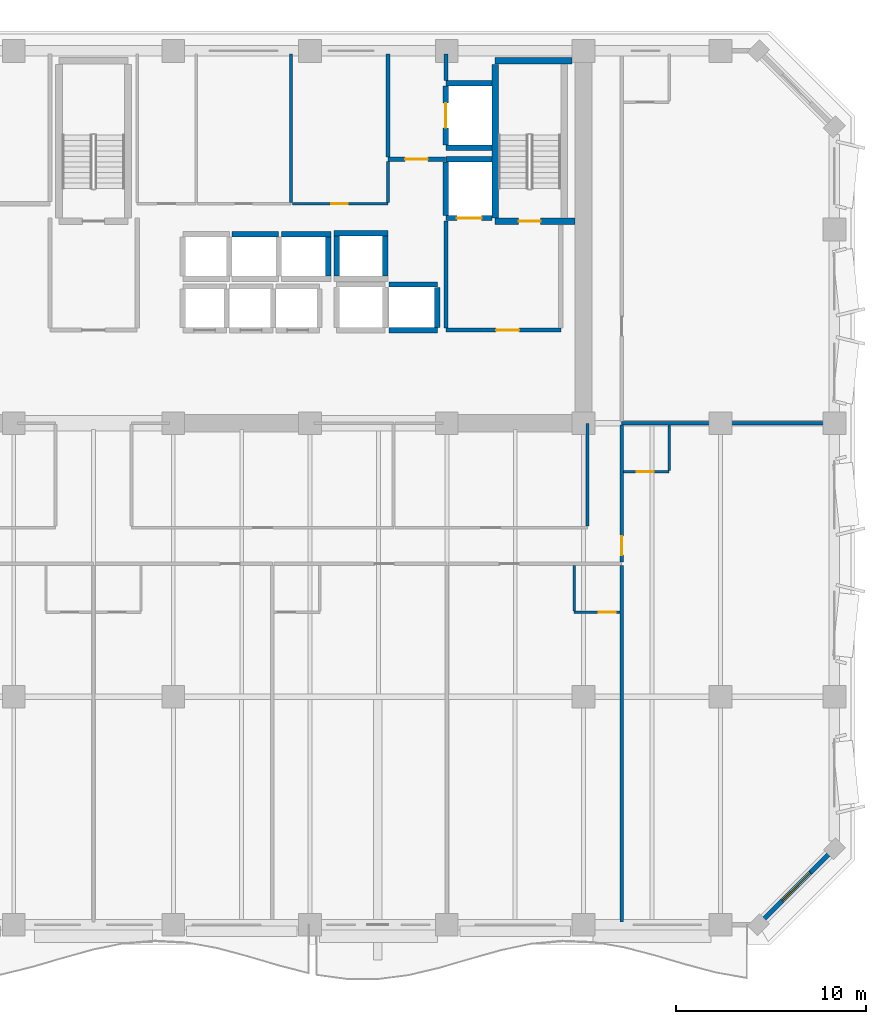
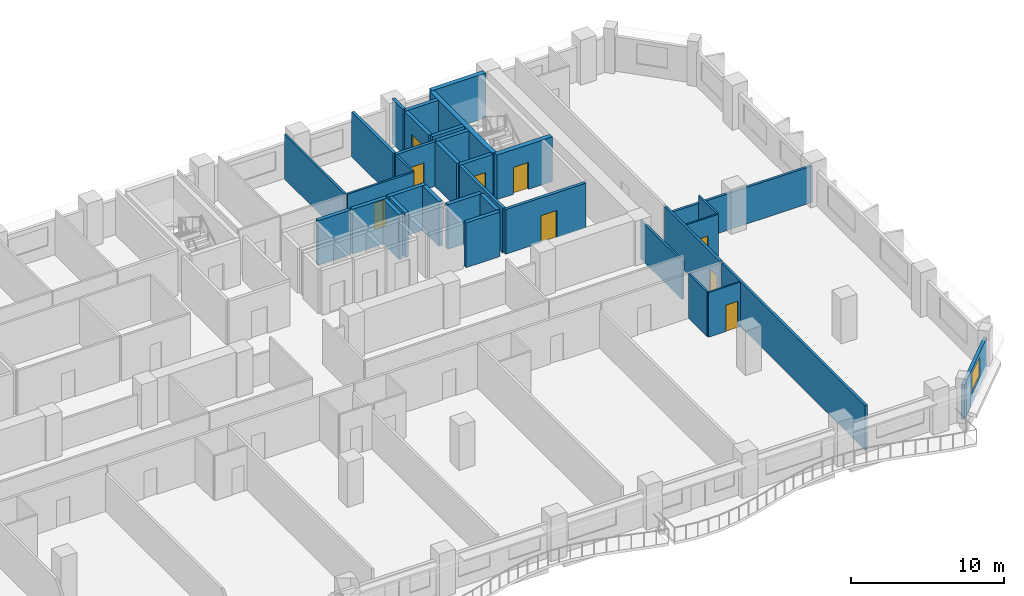
# One storey, part 8 of 14: 35 walls, 9 doors, 1 window, 10 openings.
"""IFC4 building model written with IfcOpenShell, lengths in metres."""

from ifc_helpers import new_model, si_unit, direction, frame, frame_2d, origin, place, context, subcontext, project, spatial, rectangle, extrude, material, layer, layer_set, type_object, element, fill, save


model = new_model("IFC4")

# Units and contexts
model_context = context("Model", 3, precision=1e-05, world=origin(), true_north=direction((0.0, 1.0)))
body_context = subcontext(model_context, "Body", "Model", "MODEL_VIEW")
ifc_project = project(units=[si_unit("LENGTHUNIT", "METRE"), si_unit("AREAUNIT", "SQUARE_METRE"), si_unit("VOLUMEUNIT", "CUBIC_METRE"), si_unit("PLANEANGLEUNIT", "RADIAN"), si_unit("MASSUNIT", "GRAM", prefix="KILO")], contexts=[model_context])

# Site, building, storey
site_placement = place(None, origin())
site = spatial("IfcSite", under=ifc_project, at=site_placement, CompositionType="ELEMENT")
building_placement = place(site_placement, origin())
building = spatial("IfcBuilding", under=site, at=building_placement, Name="Kaelvorn Grand Hotel", CompositionType="ELEMENT")
storey_placement = place(building_placement, frame((0.0, 0.0, 190.14990234375)))
storey = spatial("IfcBuildingStorey", under=building, at=storey_placement, Name="L46", CompositionType="ELEMENT", Elevation=190.14990234375)

# Wall, opening, window
ifc_material_1 = material(Name="Concrete C40/50", Category="concrete")
ifc_layer_1 = layer(ifc_material_1, 0.239990234375)
ifc_layer_set_1 = layer_set([ifc_layer_1], Name="Concrete C40/50")
wall_type_1 = type_object("IfcWallType", Name="WL-EXT-240-C40", PredefinedType="SOLIDWALL", material=ifc_layer_set_1)
wall_1_placement = place(storey_placement, frame((77.0, 3.0, 0.0), z_axis=(0.0, 0.0, 1.0), x_axis=(0.707106781187, 0.707106781187, 0.0)))
wall_1 = element("IfcWall", 1, at=wall_1_placement, inside=storey, type_object=wall_type_1, Name="L46 Exterior Architectural Concrete Wall 02", PredefinedType="SOLIDWALL", context=body_context, shape_type="SweptSolid", body=[
    extrude(rectangle(XDim=5.65673828125, YDim=0.239990234375, at=frame_2d((2.828369140625, 0.0))), origin(), (0.0, 0.0, 1.0), 2.760009765625),
])
opening_1_placement = place(wall_1_placement, frame((1.7783203125, 0.0, 0.85009765625)))
opening_1 = element("IfcOpeningElement", 2, at=opening_1_placement, cuts=wall_1, Name="Opening W7", PredefinedType="OPENING", context=body_context, shape_type="SweptSolid", body=[
    extrude(rectangle(XDim=2.10009765625, YDim=1.60009765625, at=frame_2d((1.050048828125, 0.800048828125))), frame((0.0, 0.1298828125, 0.0), z_axis=(0.0, -1.0, 0.0), x_axis=(1.0, 0.0, 0.0)), (0.0, 0.0, 1.0), 0.260009765625),
])
ifc_material_2 = material(Name="Laminated Low-E Glass", Category="glass")
window_type = type_object("IfcWindowType", Name="WIN-CHM-2100x1600", PartitioningType="SINGLE_PANEL", PredefinedType="WINDOW", material=ifc_material_2)
window_placement = place(opening_1_placement, origin())
window = element("IfcWindow", 3, at=window_placement, inside=storey, type_object=window_type, Name="L46 Chamfered 45-Degree Corner Window SE", OverallHeight=1.60009765625, OverallWidth=2.10009765625, PartitioningType="SINGLE_PANEL", PredefinedType="WINDOW", context=body_context, shape_type="SweptSolid", body=[
    extrude(rectangle(XDim=2.10009765625, YDim=1.60009765625, at=frame_2d((1.050048828125, 0.800048828125))), frame((0.0, 0.030029296875, 0.0), z_axis=(0.0, -1.0, 0.0), x_axis=(1.0, 0.0, 0.0)), (0.0, 0.0, 1.0), 0.06005859375),
])
fill(opening_1, window)

# Wall, opening, door
ifc_material_3 = material(Name="Moisture-Resistant Tile & Stud Board")
ifc_layer_2 = layer(ifc_material_3, 0.125)
ifc_layer_set_2 = layer_set([ifc_layer_2], Name="Moisture-Resistant Tile & Stud Board")
wall_type_2 = type_object("IfcWallType", Name="WL-PART-125-WET", PredefinedType="PARTITIONING", material=ifc_layer_set_2)
wall_2_placement = place(storey_placement, frame((67.300048828125, 19.449951171875, 0.0), z_axis=(0.0, 0.0, 1.0), x_axis=(1.0, 0.0, 0.0)))
wall_2 = element("IfcWall", 4, at=wall_2_placement, inside=storey, type_object=wall_type_2, Name="L46 En-suite Bathroom L46-06 S Partition", PredefinedType="PARTITIONING", context=body_context, shape_type="SweptSolid", body=[
    extrude(rectangle(XDim=2.405029296875, YDim=0.125, at=frame_2d((1.20263671875, 0.0))), origin(), (0.0, 0.0, 1.0), 3.56005859375),
])
opening_2_placement = place(wall_2_placement, frame((1.300048828125, 0.0, 0.0)))
opening_2 = element("IfcOpeningElement", 5, at=opening_2_placement, cuts=wall_2, Name="Opening DI4", PredefinedType="OPENING", context=body_context, shape_type="SweptSolid", body=[
    extrude(rectangle(XDim=0.89990234375, YDim=2.10009765625, at=frame_2d((0.449951171875, 1.050048828125))), frame((0.0, 0.072509765625, 0.0), z_axis=(0.0, -1.0, 0.0), x_axis=(1.0, 0.0, 0.0)), (0.0, 0.0, 1.0), 0.14501953125),
])
ifc_material_4 = material(Name="Timber Veneer Leaf", Category="wood")
door_type_1 = type_object("IfcDoorType", Name="DR-INT-BATH-900x2100", OperationType="NOTDEFINED", PredefinedType="DOOR", material=ifc_material_4)
door_1_placement = place(opening_2_placement, origin())
door_1 = element("IfcDoor", 6, at=door_1_placement, inside=storey, type_object=door_type_1, Name="L46 En-suite Bathroom L46-06 Door", OperationType="SINGLE_SWING_RIGHT", OverallHeight=2.10009765625, OverallWidth=0.89990234375, PredefinedType="DOOR", context=body_context, shape_type="SweptSolid", body=[
    extrude(rectangle(XDim=0.89990234375, YDim=2.10009765625, at=frame_2d((0.449951171875, 1.050048828125))), frame((0.0, 0.02490234375, 0.0), z_axis=(0.0, -1.0, 0.0), x_axis=(1.0, 0.0, 0.0)), (0.0, 0.0, 1.0), 0.050048828125),
])
fill(opening_2, door_1)

# Wall
wall_3_placement = place(storey_placement, frame((67.300048828125, 19.517578125, 0.0), z_axis=(0.0, 0.0, 1.0), x_axis=(0.0, 1.0, 0.0)))
element("IfcWall", 7, at=wall_3_placement, inside=storey, type_object=wall_type_2, Name="L46 En-suite Bathroom L46-06 W Partition", PredefinedType="PARTITIONING", context=body_context, shape_type="SweptSolid", body=[
    extrude(rectangle(XDim=2.387451171875, YDim=0.125, at=frame_2d((1.19384765625, 0.0))), origin(), (0.0, 0.0, 1.0), 3.56005859375),
])

# Wall, opening, door
wall_4_placement = place(storey_placement, frame((69.89501953125, 26.85009765625, 0.0), z_axis=(0.0, 0.0, 1.0), x_axis=(1.0, 0.0, 0.0)))
wall_4 = element("IfcWall", 8, at=wall_4_placement, inside=storey, type_object=wall_type_2, Name="L46 En-suite Bathroom L46-08 S Partition", PredefinedType="PARTITIONING", context=body_context, shape_type="SweptSolid", body=[
    extrude(rectangle(XDim=2.405029296875, YDim=0.125, at=frame_2d((1.20263671875, 0.0))), origin(), (0.0, 0.0, 1.0), 3.56005859375),
])
opening_3_placement = place(wall_4_placement, frame((0.705078125, 0.0, 0.0)))
opening_3 = element("IfcOpeningElement", 9, at=opening_3_placement, cuts=wall_4, Name="Opening DI4", PredefinedType="OPENING", context=body_context, shape_type="SweptSolid", body=[
    extrude(rectangle(XDim=0.89990234375, YDim=2.10009765625, at=frame_2d((0.449951171875, 1.050048828125))), frame((0.0, 0.072509765625, 0.0), z_axis=(0.0, -1.0, 0.0), x_axis=(1.0, 0.0, 0.0)), (0.0, 0.0, 1.0), 0.14501953125),
])
door_2_placement = place(opening_3_placement, origin())
door_2 = element("IfcDoor", 10, at=door_2_placement, inside=storey, type_object=door_type_1, Name="L46 En-suite Bathroom L46-08 Door", OperationType="SINGLE_SWING_RIGHT", OverallHeight=2.10009765625, OverallWidth=0.89990234375, PredefinedType="DOOR", context=body_context, shape_type="SweptSolid", body=[
    extrude(rectangle(XDim=0.89990234375, YDim=2.10009765625, at=frame_2d((0.449951171875, 1.050048828125))), frame((0.0, 0.02490234375, 0.0), z_axis=(0.0, -1.0, 0.0), x_axis=(1.0, 0.0, 0.0)), (0.0, 0.0, 1.0), 0.050048828125),
])
fill(opening_3, door_2)

# Walls
wall_5_placement = place(storey_placement, frame((72.300048828125, 26.91748046875, 0.0), z_axis=(0.0, 0.0, 1.0), x_axis=(0.0, 1.0, 0.0)))
element("IfcWall", 11, at=wall_5_placement, inside=storey, type_object=wall_type_2, Name="L46 En-suite Bathroom L46-08 E Partition", PredefinedType="PARTITIONING", context=body_context, shape_type="SweptSolid", body=[
    extrude(rectangle(XDim=2.387451171875, YDim=0.125, at=frame_2d((1.19384765625, 0.0))), origin(), (0.0, 0.0, 1.0), 3.56005859375),
])
ifc_material_5 = material(Name="Acoustic Gypsum & Stud Partition")
ifc_layer_3 = layer(ifc_material_5, 0.14990234375)
ifc_layer_set_3 = layer_set([ifc_layer_3], Name="Acoustic Gypsum & Stud Partition")
wall_type_3 = type_object("IfcWallType", Name="WL-PART-150-EI60", PredefinedType="PARTITIONING", material=ifc_layer_set_3)
wall_6_placement = place(storey_placement, frame((52.39990234375, 41.030029296875, 0.0), z_axis=(0.0, 0.0, 1.0), x_axis=(0.0, 1.0, 0.0)))
element("IfcWall", 12, at=wall_6_placement, inside=storey, type_object=wall_type_3, Name="L46 Valet & Luggage Store E Partition", PredefinedType="PARTITIONING", context=body_context, shape_type="SweptSolid", body=[
    extrude(rectangle(XDim=7.820068359375, YDim=0.14990234375, at=frame_2d((3.91015625, 0.0))), origin(), (0.0, 0.0, 1.0), 3.56005859375),
])

# Wall, opening, door
wall_7_placement = place(storey_placement, frame((52.47998046875, 40.949951171875, 0.0), z_axis=(0.0, 0.0, 1.0), x_axis=(1.0, 0.0, 0.0)))
wall_7 = element("IfcWall", 13, at=wall_7_placement, inside=storey, type_object=wall_type_3, Name="L46 Clean Utility & Amenity Store S Partition", PredefinedType="PARTITIONING", context=body_context, shape_type="SweptSolid", body=[
    extrude(rectangle(XDim=5.02001953125, YDim=0.14990234375, at=frame_2d((2.510009765625, 0.0))), origin(), (0.0, 0.0, 1.0), 3.56005859375),
])
opening_4_placement = place(wall_7_placement, frame((2.044921875, 0.0, 0.0)))
opening_4 = element("IfcOpeningElement", 14, at=opening_4_placement, cuts=wall_7, Name="Opening DI7", PredefinedType="OPENING", context=body_context, shape_type="SweptSolid", body=[
    extrude(rectangle(XDim=0.85009765625, YDim=2.10009765625, at=frame_2d((0.425048828125, 1.050048828125))), frame((0.0, 0.0849609375, 0.0), z_axis=(0.0, -1.0, 0.0), x_axis=(1.0, 0.0, 0.0)), (0.0, 0.0, 1.0), 0.169921875),
])
ifc_material_6 = material(Name="Powder-Coated Steel Leaf", Category="steel")
door_type_2 = type_object("IfcDoorType", Name="DR-INT-RISER-850x2100", OperationType="NOTDEFINED", PredefinedType="DOOR", material=ifc_material_6)
door_3_placement = place(opening_4_placement, origin())
door_3 = element("IfcDoor", 15, at=door_3_placement, inside=storey, type_object=door_type_2, Name="L46 Clean Utility & Amenity Store Door", OperationType="SINGLE_SWING_RIGHT", OverallHeight=2.10009765625, OverallWidth=0.85009765625, PredefinedType="DOOR", context=body_context, shape_type="SweptSolid", body=[
    extrude(rectangle(XDim=0.85009765625, YDim=2.10009765625, at=frame_2d((0.425048828125, 1.050048828125))), frame((0.0, 0.02490234375, 0.0), z_axis=(0.0, -1.0, 0.0), x_axis=(1.0, 0.0, 0.0)), (0.0, 0.0, 1.0), 0.050048828125),
])
fill(opening_4, door_3)

# Walls
wall_8_placement = place(storey_placement, frame((57.5, 41.030029296875, 0.0), z_axis=(0.0, 0.0, 1.0), x_axis=(0.0, 1.0, 0.0)))
element("IfcWall", 16, at=wall_8_placement, inside=storey, type_object=wall_type_3, Name="L46 Clean Utility & Amenity Store E Partition", PredefinedType="PARTITIONING", context=body_context, shape_type="SweptSolid", body=[
    extrude(rectangle(XDim=2.155029296875, YDim=0.14990234375, at=frame_2d((1.07763671875, 0.0))), origin(), (0.0, 0.0, 1.0), 3.56005859375),
])
wall_9_placement = place(storey_placement, frame((68.0, 23.97998046875, 0.0), z_axis=(0.0, 0.0, 1.0), x_axis=(0.0, 1.0, 0.0)))
element("IfcWall", 17, at=wall_9_placement, inside=storey, type_object=wall_type_3, Name="L46 VIP Dining Restaurant E Partition", PredefinedType="PARTITIONING", context=body_context, shape_type="SweptSolid", body=[
    extrude(rectangle(XDim=5.409912109375, YDim=0.14990234375, at=frame_2d((2.705078125, 0.0))), origin(), (0.0, 0.0, 1.0), 3.06005859375),
])
ifc_layer_4 = layer(ifc_material_5, 0.179931640625)
ifc_layer_set_4 = layer_set([ifc_layer_4], Name="Acoustic Gypsum & Stud Partition")
wall_type_4 = type_object("IfcWallType", Name="WL-PART-180-EI60", PredefinedType="PARTITIONING", material=ifc_layer_set_4)
wall_10_placement = place(storey_placement, frame((69.800048828125, 3.14990234375, 0.0), z_axis=(0.0, 0.0, 1.0), x_axis=(0.0, 1.0, 0.0)))
element("IfcWall", 18, at=wall_10_placement, inside=storey, type_object=wall_type_4, Name="L46 Mid-Rise Signature Suite L46-06 E Partition", PredefinedType="PARTITIONING", context=body_context, shape_type="SweptSolid", body=[
    extrude(rectangle(XDim=18.755126953125, YDim=0.179931640625, at=frame_2d((9.37744140625, 0.0))), origin(), (0.0, 0.0, 1.0), 3.56005859375),
])
wall_11_placement = place(storey_placement, frame((69.800048828125, 29.39990234375, 0.0), z_axis=(0.0, 0.0, 1.0), x_axis=(1.0, 0.0, 0.0)))
element("IfcWall", 19, at=wall_11_placement, inside=storey, type_object=wall_type_4, Name="L46 Presidential Sky Suite L46-08 N Partition", PredefinedType="PARTITIONING", context=body_context, shape_type="SweptSolid", body=[
    extrude(rectangle(XDim=11.050048828125, YDim=0.179931640625, at=frame_2d((5.52490234375, 0.0))), origin(), (0.0, 0.0, 1.0), 2.91015625),
])

# Wall, opening, door
wall_12_placement = place(storey_placement, frame((69.800048828125, 22.094970703125, 0.0), z_axis=(0.0, 0.0, 1.0), x_axis=(0.0, 1.0, 0.0)))
wall_12 = element("IfcWall", 20, at=wall_12_placement, inside=storey, type_object=wall_type_4, Name="L46 Presidential Sky Suite L46-08 W Partition", PredefinedType="PARTITIONING", context=body_context, shape_type="SweptSolid", body=[
    extrude(rectangle(XDim=7.2099609375, YDim=0.179931640625, at=frame_2d((3.60498046875, 0.0))), origin(), (0.0, 0.0, 1.0), 3.56005859375),
])
opening_5_placement = place(wall_12_placement, frame((0.35498046875, 0.0, 0.0)))
opening_5 = element("IfcOpeningElement", 21, at=opening_5_placement, cuts=wall_12, Name="Opening DI3", PredefinedType="OPENING", context=body_context, shape_type="SweptSolid", body=[
    extrude(rectangle(XDim=1.0, YDim=2.14990234375, at=frame_2d((0.5, 1.074951171875))), frame((0.0, 0.10009765625, 0.0), z_axis=(0.0, -1.0, 0.0), x_axis=(1.0, 0.0, 0.0)), (0.0, 0.0, 1.0), 0.199951171875),
])
ifc_material_7 = material(Name="Timber Veneer Fire Leaf", Category="wood")
door_type_3 = type_object("IfcDoorType", Name="DR-INT-GUEST-1000x2150", OperationType="NOTDEFINED", PredefinedType="DOOR", material=ifc_material_7)
door_4_placement = place(opening_5_placement, origin())
door_4 = element("IfcDoor", 22, at=door_4_placement, inside=storey, type_object=door_type_3, Name="L46 Presidential Sky Suite L46-08 Door", OperationType="SINGLE_SWING_LEFT", OverallHeight=2.14990234375, OverallWidth=1.0, PredefinedType="DOOR", context=body_context, shape_type="SweptSolid", body=[
    extrude(rectangle(XDim=1.0, YDim=2.14990234375, at=frame_2d((0.5, 1.074951171875))), frame((0.0, 0.02490234375, 0.0), z_axis=(0.0, -1.0, 0.0), x_axis=(1.0, 0.0, 0.0)), (0.0, 0.0, 1.0), 0.050048828125),
])
fill(opening_5, door_4)

ifc_layer_5 = layer(ifc_material_1, 0.219970703125)
ifc_layer_set_5 = layer_set([ifc_layer_5], Name="Concrete C40/50")
wall_type_5 = type_object("IfcWallType", Name="WL-PART-220-EI120", PredefinedType="PARTITIONING", material=ifc_layer_set_5)
wall_13_placement = place(storey_placement, frame((60.550048828125, 34.300048828125, 0.0), z_axis=(0.0, 0.0, 1.0), x_axis=(1.0, 0.0, 0.0)))
wall_13 = element("IfcWall", 23, at=wall_13_placement, inside=storey, type_object=wall_type_5, Name="L46 Firefighting Lift Lobby 2 S Partition", PredefinedType="PARTITIONING", context=body_context, shape_type="SweptSolid", body=[
    extrude(rectangle(XDim=6.050048828125, YDim=0.219970703125, at=frame_2d((3.02490234375, 0.0))), origin(), (0.0, 0.0, 1.0), 3.56005859375),
])
opening_6_placement = place(wall_13_placement, frame((2.64990234375, 0.0, 0.0)))
opening_6 = element("IfcOpeningElement", 24, at=opening_6_placement, cuts=wall_13, Name="Opening DI2", PredefinedType="OPENING", context=body_context, shape_type="SweptSolid", body=[
    extrude(rectangle(XDim=1.199951171875, YDim=2.14990234375, at=frame_2d((0.60009765625, 1.074951171875))), frame((0.0, 0.1201171875, 0.0), z_axis=(0.0, -1.0, 0.0), x_axis=(1.0, 0.0, 0.0)), (0.0, 0.0, 1.0), 0.239990234375),
])
door_type_4 = type_object("IfcDoorType", Name="DR-INT-FFLOB-1200x2150", OperationType="NOTDEFINED", PredefinedType="DOOR", material=ifc_material_7)
door_5_placement = place(opening_6_placement, origin())
door_5 = element("IfcDoor", 25, at=door_5_placement, inside=storey, type_object=door_type_4, Name="L46 Firefighting Lift Lobby 2 Door", OperationType="SINGLE_SWING_RIGHT", OverallHeight=2.14990234375, OverallWidth=1.199951171875, PredefinedType="DOOR", context=body_context, shape_type="SweptSolid", body=[
    extrude(rectangle(XDim=1.199951171875, YDim=2.14990234375, at=frame_2d((0.60009765625, 1.074951171875))), frame((0.0, 0.02490234375, 0.0), z_axis=(0.0, -1.0, 0.0), x_axis=(1.0, 0.0, 0.0)), (0.0, 0.0, 1.0), 0.050048828125),
])
fill(opening_6, door_5)

# Wall
wall_14_placement = place(storey_placement, frame((60.550048828125, 34.4150390625, 0.0), z_axis=(0.0, 0.0, 1.0), x_axis=(0.0, 1.0, 0.0)))
element("IfcWall", 26, at=wall_14_placement, inside=storey, type_object=wall_type_5, Name="L46 Firefighting Lift Lobby 2 W Partition", PredefinedType="PARTITIONING", context=body_context, shape_type="SweptSolid", body=[
    extrude(rectangle(XDim=5.639892578125, YDim=0.219970703125, at=frame_2d((2.81982421875, 0.0))), origin(), (0.0, 0.0, 1.0), 3.56005859375),
])

# Wall, opening, door
wall_15_placement = place(storey_placement, frame((57.5, 43.300048828125, 0.0), z_axis=(0.0, 0.0, 1.0), x_axis=(1.0, 0.0, 0.0)))
wall_15 = element("IfcWall", 27, at=wall_15_placement, inside=storey, type_object=wall_type_5, Name="L46 Service Lift Lobby S Partition", PredefinedType="PARTITIONING", context=body_context, shape_type="SweptSolid", body=[
    extrude(rectangle(XDim=3.0400390625, YDim=0.219970703125, at=frame_2d((1.52001953125, 0.0))), origin(), (0.0, 0.0, 1.0), 3.56005859375),
])
opening_7_placement = place(wall_15_placement, frame((0.89990234375, 0.0, 0.0)))
opening_7 = element("IfcOpeningElement", 28, at=opening_7_placement, cuts=wall_15, Name="Opening DI2", PredefinedType="OPENING", context=body_context, shape_type="SweptSolid", body=[
    extrude(rectangle(XDim=1.199951171875, YDim=2.14990234375, at=frame_2d((0.60009765625, 1.074951171875))), frame((0.0, 0.1201171875, 0.0), z_axis=(0.0, -1.0, 0.0), x_axis=(1.0, 0.0, 0.0)), (0.0, 0.0, 1.0), 0.239990234375),
])
door_6_placement = place(opening_7_placement, origin())
door_6 = element("IfcDoor", 29, at=door_6_placement, inside=storey, type_object=door_type_4, Name="L46 Service Lift Lobby Door", OperationType="SINGLE_SWING_RIGHT", OverallHeight=2.14990234375, OverallWidth=1.199951171875, PredefinedType="DOOR", context=body_context, shape_type="SweptSolid", body=[
    extrude(rectangle(XDim=1.199951171875, YDim=2.14990234375, at=frame_2d((0.60009765625, 1.074951171875))), frame((0.0, 0.02490234375, 0.0), z_axis=(0.0, -1.0, 0.0), x_axis=(1.0, 0.0, 0.0)), (0.0, 0.0, 1.0), 0.050048828125),
])
fill(opening_7, door_6)

# Walls
wall_16_placement = place(storey_placement, frame((57.5, 43.4150390625, 0.0), z_axis=(0.0, 0.0, 1.0), x_axis=(0.0, 1.0, 0.0)))
element("IfcWall", 30, at=wall_16_placement, inside=storey, type_object=wall_type_5, Name="L46 Service Lift Lobby W Partition", PredefinedType="PARTITIONING", context=body_context, shape_type="SweptSolid", body=[
    extrude(rectangle(XDim=5.43505859375, YDim=0.219970703125, at=frame_2d((2.717529296875, 0.0))), origin(), (0.0, 0.0, 1.0), 3.56005859375),
])
wall_17_placement = place(storey_placement, frame((60.550048828125, 47.445068359375, 0.0), z_axis=(0.0, 0.0, 1.0), x_axis=(0.0, 1.0, 0.0)))
element("IfcWall", 31, at=wall_17_placement, inside=storey, type_object=wall_type_5, Name="L46 Service Lift Lobby E Partition", PredefinedType="PARTITIONING", context=body_context, shape_type="SweptSolid", body=[
    extrude(rectangle(XDim=1.405029296875, YDim=0.219970703125, at=frame_2d((0.70263671875, 0.0))), origin(), (0.0, 0.0, 1.0), 3.56005859375),
])
ifc_material_8 = material(Name="Concrete C50/60", Category="concrete")
ifc_layer_6 = layer(ifc_material_8, 0.280029296875)
ifc_layer_set_6 = layer_set([ifc_layer_6], Name="Concrete C50/60")
wall_type_6 = type_object("IfcWallType", Name="WL-SHAFT-280-C50", PredefinedType="SHEAR", material=ifc_layer_set_6)
wall_18_placement = place(storey_placement, frame((49.300048828125, 39.35009765625, 0.0), z_axis=(0.0, 0.0, 1.0), x_axis=(1.0, 0.0, 0.0)))
element("IfcWall", 32, at=wall_18_placement, inside=storey, type_object=wall_type_6, Name="L46 Lift SL-2 Shaft North Wall", PredefinedType="SHEAR", context=body_context, shape_type="SweptSolid", body=[
    extrude(rectangle(XDim=2.449951171875, YDim=0.280029296875, at=frame_2d((1.22509765625, 0.0))), origin(), (0.0, 0.0, 1.0), 3.56005859375),
])
wall_19_placement = place(storey_placement, frame((51.89990234375, 39.35009765625, 0.0), z_axis=(0.0, 0.0, 1.0), x_axis=(1.0, 0.0, 0.0)))
element("IfcWall", 33, at=wall_19_placement, inside=storey, type_object=wall_type_6, Name="L46 Lift SL-3 Shaft North Wall", PredefinedType="SHEAR", context=body_context, shape_type="SweptSolid", body=[
    extrude(rectangle(XDim=2.590087890625, YDim=0.280029296875, at=frame_2d((1.294921875, 0.0))), origin(), (0.0, 0.0, 1.0), 3.56005859375),
])
wall_20_placement = place(storey_placement, frame((54.35009765625, 37.14501953125, 0.0), z_axis=(0.0, 0.0, 1.0), x_axis=(0.0, 1.0, 0.0)))
element("IfcWall", 34, at=wall_20_placement, inside=storey, type_object=wall_type_6, Name="L46 Lift SL-3 Shaft East Wall", PredefinedType="SHEAR", context=body_context, shape_type="SweptSolid", body=[
    extrude(rectangle(XDim=2.06005859375, YDim=0.280029296875, at=frame_2d((1.030029296875, 0.0))), origin(), (0.0, 0.0, 1.0), 3.56005859375),
])
for number, where, z_axis, x_axis, name in (
    (35, (57.550048828125, 34.300048828125, 0.0), (0.0, 0.0, 1.0), (1.0, 0.0, 0.0), "L46 Lift OL-2 Shaft South Wall"),
    (36, (57.550048828125, 36.699951171875, 0.0), (0.0, 0.0, 1.0), (1.0, 0.0, 0.0), "L46 Lift OL-2 Shaft North Wall"),
):
    element("IfcWall", number, at=place(storey_placement, frame(where, z_axis=z_axis, x_axis=x_axis)), inside=storey, type_object=wall_type_6, Name=name, PredefinedType="SHEAR", context=body_context, shape_type="SweptSolid", body=[
        extrude(rectangle(XDim=2.550048828125, YDim=0.280029296875, at=frame_2d((1.27490234375, 0.0))), origin(), (0.0, 0.0, 1.0), 3.56005859375),
    ])
wall_21_placement = place(storey_placement, frame((60.10009765625, 34.445068359375, 0.0), z_axis=(0.0, 0.0, 1.0), x_axis=(0.0, 1.0, 0.0)))
element("IfcWall", 37, at=wall_21_placement, inside=storey, type_object=wall_type_6, Name="L46 Lift OL-2 Shaft East Wall", PredefinedType="SHEAR", context=body_context, shape_type="SweptSolid", body=[
    extrude(rectangle(XDim=2.10986328125, YDim=0.280029296875, at=frame_2d((1.054931640625, 0.0))), origin(), (0.0, 0.0, 1.0), 3.56005859375),
])
wall_22_placement = place(storey_placement, frame((54.659912109375, 39.39990234375, 0.0), z_axis=(0.0, 0.0, 1.0), x_axis=(1.0, 0.0, 0.0)))
element("IfcWall", 38, at=wall_22_placement, inside=storey, type_object=wall_type_6, Name="L46 Lift OL-3 Shaft North Wall", PredefinedType="SHEAR", context=body_context, shape_type="SweptSolid", body=[
    extrude(rectangle(XDim=2.830078125, YDim=0.280029296875, at=frame_2d((1.4150390625, 0.0))), origin(), (0.0, 0.0, 1.0), 3.56005859375),
])
for number, where, z_axis, x_axis, name in (
    (39, (54.800048828125, 37.14501953125, 0.0), (0.0, 0.0, 1.0), (0.0, 1.0, 0.0), "L46 Lift OL-3 Shaft West Wall"),
    (40, (57.35009765625, 37.14501953125, 0.0), (0.0, 0.0, 1.0), (0.0, 1.0, 0.0), "L46 Lift OL-3 Shaft East Wall"),
):
    element("IfcWall", number, at=place(storey_placement, frame(where, z_axis=z_axis, x_axis=x_axis)), inside=storey, type_object=wall_type_6, Name=name, PredefinedType="SHEAR", context=body_context, shape_type="SweptSolid", body=[
        extrude(rectangle(XDim=2.10986328125, YDim=0.280029296875, at=frame_2d((1.054931640625, 0.0))), origin(), (0.0, 0.0, 1.0), 3.56005859375),
    ])

# Wall, opening, door
wall_23_placement = place(storey_placement, frame((60.550048828125, 40.199951171875, 0.0), z_axis=(0.0, 0.0, 1.0), x_axis=(1.0, 0.0, 0.0)))
wall_23 = element("IfcWall", 41, at=wall_23_placement, inside=storey, type_object=wall_type_6, Name="L46 Lift FFL2 Shaft South Wall", PredefinedType="SHEAR", context=body_context, shape_type="SweptSolid", body=[
    extrude(rectangle(XDim=2.4150390625, YDim=0.280029296875, at=frame_2d((1.20751953125, 0.0))), origin(), (0.0, 0.0, 1.0), 3.56005859375),
])
opening_8_placement = place(wall_23_placement, frame((0.574951171875, 0.0, 0.0)))
opening_8 = element("IfcOpeningElement", 42, at=opening_8_placement, cuts=wall_23, Name="Opening LD-FFL2", PredefinedType="OPENING", context=body_context, shape_type="SweptSolid", body=[
    extrude(rectangle(XDim=1.300048828125, YDim=2.300048828125, at=frame_2d((0.64990234375, 1.14990234375))), frame((0.0, 0.14990234375, 0.0), z_axis=(0.0, -1.0, 0.0), x_axis=(1.0, 0.0, 0.0)), (0.0, 0.0, 1.0), 0.300048828125),
])
ifc_material_9 = material(Name="Stainless Steel", Category="steel")
door_type_5 = type_object("IfcDoorType", Name="DR-LIFT-SERV-1300x2300", OperationType="DOUBLE_DOOR_SLIDING", PredefinedType="DOOR", material=ifc_material_9)
door_7_placement = place(opening_8_placement, origin())
door_7 = element("IfcDoor", 43, at=door_7_placement, inside=storey, type_object=door_type_5, Name="L46 Lift FFL2 Sliding Landing Door LD-FFL2", OperationType="DOUBLE_DOOR_SLIDING", OverallHeight=2.300048828125, OverallWidth=1.300048828125, PredefinedType="DOOR", context=body_context, shape_type="SweptSolid", body=[
    extrude(rectangle(XDim=1.300048828125, YDim=2.300048828125, at=frame_2d((0.64990234375, 1.14990234375))), frame((0.0, 0.02490234375, 0.0), z_axis=(0.0, -1.0, 0.0), x_axis=(1.0, 0.0, 0.0)), (0.0, 0.0, 1.0), 0.050048828125),
])
fill(opening_8, door_7)

# Walls
wall_24_placement = place(storey_placement, frame((60.550048828125, 43.300048828125, 0.0), z_axis=(0.0, 0.0, 1.0), x_axis=(1.0, 0.0, 0.0)))
element("IfcWall", 44, at=wall_24_placement, inside=storey, type_object=wall_type_6, Name="L46 Lift FFL2 Shaft North Wall", PredefinedType="SHEAR", context=body_context, shape_type="SweptSolid", body=[
    extrude(rectangle(XDim=2.4150390625, YDim=0.280029296875, at=frame_2d((1.20751953125, 0.0))), origin(), (0.0, 0.0, 1.0), 3.56005859375),
])
wall_25_placement = place(storey_placement, frame((60.550048828125, 40.344970703125, 0.0), z_axis=(0.0, 0.0, 1.0), x_axis=(0.0, 1.0, 0.0)))
element("IfcWall", 45, at=wall_25_placement, inside=storey, type_object=wall_type_6, Name="L46 Lift FFL2 Shaft West Wall", PredefinedType="SHEAR", context=body_context, shape_type="SweptSolid", body=[
    extrude(rectangle(XDim=2.81005859375, YDim=0.280029296875, at=frame_2d((1.405029296875, 0.0))), origin(), (0.0, 0.0, 1.0), 3.56005859375),
])
for number, where, z_axis, x_axis, name in (
    (46, (60.550048828125, 43.89990234375, 0.0), (0.0, 0.0, 1.0), (1.0, 0.0, 0.0), "L46 Lift SV1 Shaft South Wall"),
    (47, (60.550048828125, 47.300048828125, 0.0), (0.0, 0.0, 1.0), (1.0, 0.0, 0.0), "L46 Lift SV1 Shaft North Wall"),
):
    element("IfcWall", number, at=place(storey_placement, frame(where, z_axis=z_axis, x_axis=x_axis)), inside=storey, type_object=wall_type_6, Name=name, PredefinedType="SHEAR", context=body_context, shape_type="SweptSolid", body=[
        extrude(rectangle(XDim=2.4150390625, YDim=0.280029296875, at=frame_2d((1.20751953125, 0.0))), origin(), (0.0, 0.0, 1.0), 3.56005859375),
    ])

# Wall, opening, door
wall_26_placement = place(storey_placement, frame((60.550048828125, 44.044921875, 0.0), z_axis=(0.0, 0.0, 1.0), x_axis=(0.0, 1.0, 0.0)))
wall_26 = element("IfcWall", 48, at=wall_26_placement, inside=storey, type_object=wall_type_6, Name="L46 Lift SV1 Shaft West Wall", PredefinedType="SHEAR", context=body_context, shape_type="SweptSolid", body=[
    extrude(rectangle(XDim=3.110107421875, YDim=0.280029296875, at=frame_2d((1.55517578125, 0.0))), origin(), (0.0, 0.0, 1.0), 3.56005859375),
])
opening_9_placement = place(wall_26_placement, frame((0.905029296875, 0.0, 0.0)))
opening_9 = element("IfcOpeningElement", 49, at=opening_9_placement, cuts=wall_26, Name="Opening LD-SV1", PredefinedType="OPENING", context=body_context, shape_type="SweptSolid", body=[
    extrude(rectangle(XDim=1.300048828125, YDim=2.300048828125, at=frame_2d((0.64990234375, 1.14990234375))), frame((0.0, 0.14990234375, 0.0), z_axis=(0.0, -1.0, 0.0), x_axis=(1.0, 0.0, 0.0)), (0.0, 0.0, 1.0), 0.300048828125),
])
door_8_placement = place(opening_9_placement, origin())
door_8 = element("IfcDoor", 50, at=door_8_placement, inside=storey, type_object=door_type_5, Name="L46 Lift SV1 Sliding Landing Door LD-SV1", OperationType="DOUBLE_DOOR_SLIDING", OverallHeight=2.300048828125, OverallWidth=1.300048828125, PredefinedType="DOOR", context=body_context, shape_type="SweptSolid", body=[
    extrude(rectangle(XDim=1.300048828125, YDim=2.300048828125, at=frame_2d((0.64990234375, 1.14990234375))), frame((0.0, 0.02490234375, 0.0), z_axis=(0.0, -1.0, 0.0), x_axis=(1.0, 0.0, 0.0)), (0.0, 0.0, 1.0), 0.050048828125),
])
fill(opening_9, door_8)

ifc_material_10 = material(Name="Concrete C60/75", Category="concrete")
ifc_layer_7 = layer(ifc_material_10, 0.35009765625)
ifc_layer_set_7 = layer_set([ifc_layer_7], Name="Concrete C60/75")
wall_type_7 = type_object("IfcWallType", Name="WL-SHAFT-350-C60", PredefinedType="SHEAR", material=ifc_layer_set_7)
wall_27_placement = place(storey_placement, frame((63.14501953125, 40.02490234375, 0.0), z_axis=(0.0, 0.0, 1.0), x_axis=(1.0, 0.0, 0.0)))
wall_27 = element("IfcWall", 51, at=wall_27_placement, inside=storey, type_object=wall_type_7, Name="L46 ST3 Stair Shaft South Wall", PredefinedType="SHEAR", context=body_context, shape_type="SweptSolid", body=[
    extrude(rectangle(XDim=4.199951171875, YDim=0.35009765625, at=frame_2d((2.10009765625, 0.0))), origin(), (0.0, 0.0, 1.0), 3.56005859375),
])
opening_10_placement = place(wall_27_placement, frame((1.239990234375, 0.0, 0.0)))
opening_10 = element("IfcOpeningElement", 52, at=opening_10_placement, cuts=wall_27, Name="Opening DI1", PredefinedType="OPENING", context=body_context, shape_type="SweptSolid", body=[
    extrude(rectangle(XDim=1.14990234375, YDim=2.14990234375, at=frame_2d((0.574951171875, 1.074951171875))), frame((0.0, 0.18505859375, 0.0), z_axis=(0.0, -1.0, 0.0), x_axis=(1.0, 0.0, 0.0)), (0.0, 0.0, 1.0), 0.3701171875),
])
door_type_6 = type_object("IfcDoorType", Name="DR-INT-STAIR-1150x2150", OperationType="NOTDEFINED", PredefinedType="DOOR", material=ifc_material_7)
door_9_placement = place(opening_10_placement, origin())
door_9 = element("IfcDoor", 53, at=door_9_placement, inside=storey, type_object=door_type_6, Name="L46 ST3 Exit Stair Fire Door", OperationType="SINGLE_SWING_RIGHT", OverallHeight=2.14990234375, OverallWidth=1.14990234375, PredefinedType="DOOR", context=body_context, shape_type="SweptSolid", body=[
    extrude(rectangle(XDim=1.14990234375, YDim=2.14990234375, at=frame_2d((0.574951171875, 1.074951171875))), frame((0.0, 0.02490234375, 0.0), z_axis=(0.0, -1.0, 0.0), x_axis=(1.0, 0.0, 0.0)), (0.0, 0.0, 1.0), 0.050048828125),
])
fill(opening_10, door_9)

# Walls
wall_28_placement = place(storey_placement, frame((63.14501953125, 48.47509765625, 0.0), z_axis=(0.0, 0.0, 1.0), x_axis=(1.0, 0.0, 0.0)))
element("IfcWall", 54, at=wall_28_placement, inside=storey, type_object=wall_type_7, Name="L46 ST3 Stair Shaft North Wall", PredefinedType="SHEAR", context=body_context, shape_type="SweptSolid", body=[
    extrude(rectangle(XDim=4.050048828125, YDim=0.35009765625, at=frame_2d((2.02490234375, 0.0))), origin(), (0.0, 0.0, 1.0), 3.56005859375),
])
wall_29_placement = place(storey_placement, frame((63.14501953125, 40.205078125, 0.0), z_axis=(0.0, 0.0, 1.0), x_axis=(0.0, 1.0, 0.0)))
element("IfcWall", 55, at=wall_29_placement, inside=storey, type_object=wall_type_7, Name="L46 ST3 Stair Shaft West Wall", PredefinedType="SHEAR", context=body_context, shape_type="SweptSolid", body=[
    extrude(rectangle(XDim=8.08984375, YDim=0.35009765625, at=frame_2d((4.044921875, 0.0))), origin(), (0.0, 0.0, 1.0), 3.56005859375),
])

save(model, "model.ifc")
